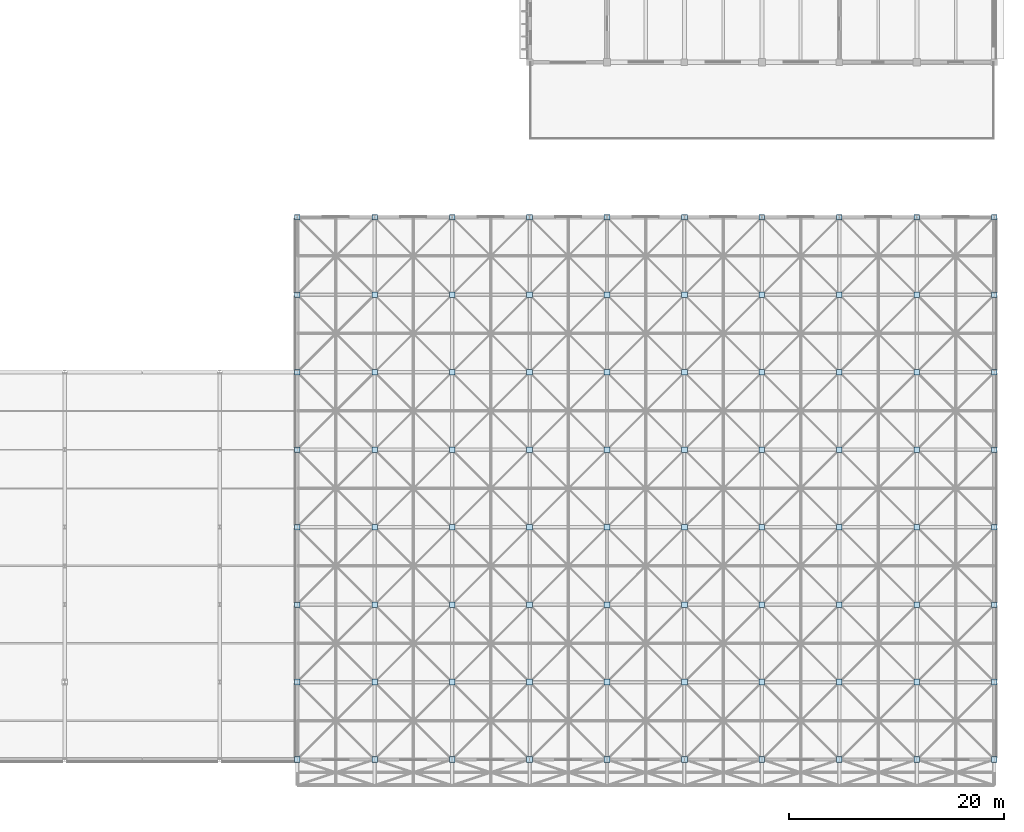
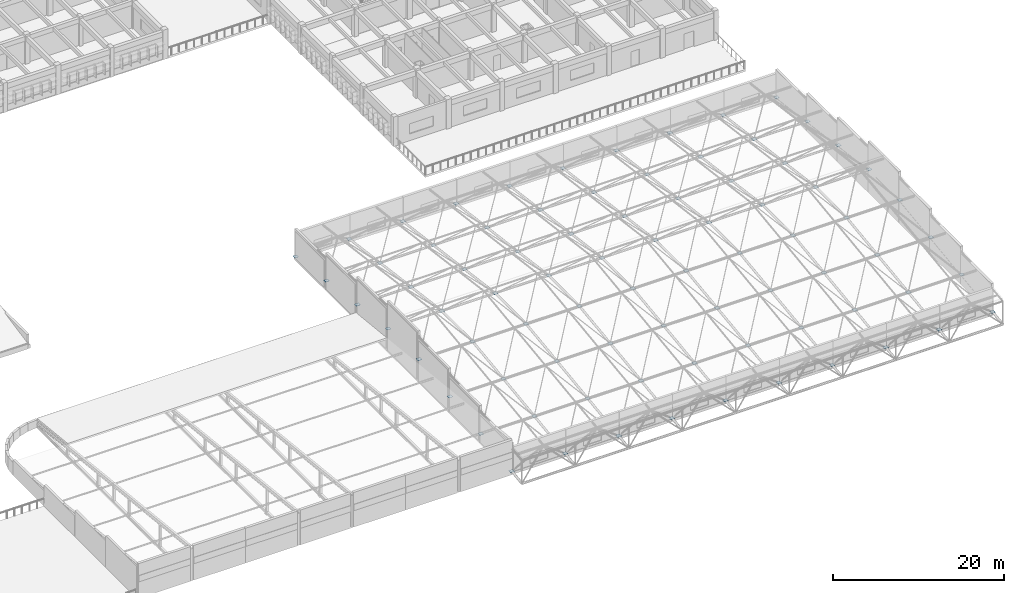
# One storey, part 79 of 103: 80 plates.
"""IFC4 building model written with IfcOpenShell, lengths in metres."""

from ifc_helpers import new_model, si_unit, direction, frame, origin, origin_2d, place, context, subcontext, project, spatial, rectangle, extrude, material, layer, layer_set, type_object, element, save


model = new_model("IFC4")

# Units and contexts
model_context = context("Model", 3, precision=1e-05, world=origin(), true_north=direction((0.0, 1.0)))
body_context = subcontext(model_context, "Body", "Model", "MODEL_VIEW")
ifc_project = project(units=[si_unit("LENGTHUNIT", "METRE"), si_unit("AREAUNIT", "SQUARE_METRE"), si_unit("VOLUMEUNIT", "CUBIC_METRE"), si_unit("PLANEANGLEUNIT", "RADIAN"), si_unit("MASSUNIT", "GRAM", prefix="KILO")], contexts=[model_context])

# Site, building, storey
site_placement = place(None, origin())
site = spatial("IfcSite", under=ifc_project, at=site_placement, CompositionType="ELEMENT")
building_placement = place(site_placement, origin())
building = spatial("IfcBuilding", under=site, at=building_placement, Name="Thalmaran Polytechnic", CompositionType="ELEMENT")
storey_placement = place(building_placement, frame((0.0, 0.0, 14.39990234375)))
storey = spatial("IfcBuildingStorey", under=building, at=storey_placement, Name="L03", CompositionType="ELEMENT", Elevation=14.39990234375)

# Plates
ifc_material = material(Name="Steel S355", Category="steel")
ifc_layer = layer(ifc_material, 0.02001953125, Name="Steel S355")
ifc_layer_set = layer_set([ifc_layer], Name="Steel S355")
plate_type = type_object("IfcPlateType", Name="PT-GS01", PredefinedType="SHEET", material=ifc_layer_set)
for number, where, z_axis, x_axis, name in (
    (1, (108.0, 0.0, 0.3701171875), (0.0, 0.0, 1.0), (1.0, 0.0, 0.0), "Space-Frame Spherical Node Gusset (0,1)"),
    (2, (108.0, 7.199951171875, 1.31787109375), (0.0, 0.0, 1.0), (1.0, 0.0, 0.0), "Space-Frame Spherical Node Gusset (0,2)"),
    (3, (108.0, 14.39990234375, 2.265869140625), (0.0, 0.0, 1.0), (1.0, 0.0, 0.0), "Space-Frame Spherical Node Gusset (0,3)"),
    (4, (108.0, 21.60009765625, 3.2138671875), (0.0, 0.0, 1.0), (1.0, 0.0, 0.0), "Space-Frame Spherical Node Gusset (0,4)"),
    (5, (108.0, 28.800048828125, 3.2138671875), (0.0, 0.0, 1.0), (1.0, 0.0, 0.0), "Space-Frame Spherical Node Gusset (0,5)"),
    (6, (108.0, 36.0, 2.265869140625), (0.0, 0.0, 1.0), (1.0, 0.0, 0.0), "Space-Frame Spherical Node Gusset (0,6)"),
    (7, (108.0, 43.199951171875, 1.31787109375), (0.0, 0.0, 1.0), (1.0, 0.0, 0.0), "Space-Frame Spherical Node Gusset (0,7)"),
    (8, (108.0, 50.39990234375, 0.3701171875), (0.0, 0.0, 1.0), (1.0, 0.0, 0.0), "Space-Frame Spherical Node Gusset (0,8)"),
    (9, (115.199951171875, 0.0, 0.3701171875), (0.0, 0.0, 1.0), (1.0, 0.0, 0.0), "Space-Frame Spherical Node Gusset (1,1)"),
    (10, (115.199951171875, 7.199951171875, 1.31787109375), (0.0, 0.0, 1.0), (1.0, 0.0, 0.0), "Space-Frame Spherical Node Gusset (1,2)"),
    (11, (115.199951171875, 14.39990234375, 2.265869140625), (0.0, 0.0, 1.0), (1.0, 0.0, 0.0), "Space-Frame Spherical Node Gusset (1,3)"),
    (12, (115.199951171875, 21.60009765625, 3.2138671875), (0.0, 0.0, 1.0), (1.0, 0.0, 0.0), "Space-Frame Spherical Node Gusset (1,4)"),
    (13, (115.199951171875, 28.800048828125, 3.2138671875), (0.0, 0.0, 1.0), (1.0, 0.0, 0.0), "Space-Frame Spherical Node Gusset (1,5)"),
    (14, (115.199951171875, 36.0, 2.265869140625), (0.0, 0.0, 1.0), (1.0, 0.0, 0.0), "Space-Frame Spherical Node Gusset (1,6)"),
    (15, (115.199951171875, 43.199951171875, 1.31787109375), (0.0, 0.0, 1.0), (1.0, 0.0, 0.0), "Space-Frame Spherical Node Gusset (1,7)"),
    (16, (115.199951171875, 50.39990234375, 0.3701171875), (0.0, 0.0, 1.0), (1.0, 0.0, 0.0), "Space-Frame Spherical Node Gusset (1,8)"),
    (17, (122.39990234375, 0.0, 0.3701171875), (0.0, 0.0, 1.0), (1.0, 0.0, 0.0), "Space-Frame Spherical Node Gusset (2,1)"),
    (18, (122.39990234375, 7.199951171875, 1.31787109375), (0.0, 0.0, 1.0), (1.0, 0.0, 0.0), "Space-Frame Spherical Node Gusset (2,2)"),
    (19, (122.39990234375, 14.39990234375, 2.265869140625), (0.0, 0.0, 1.0), (1.0, 0.0, 0.0), "Space-Frame Spherical Node Gusset (2,3)"),
    (20, (122.39990234375, 21.60009765625, 3.2138671875), (0.0, 0.0, 1.0), (1.0, 0.0, 0.0), "Space-Frame Spherical Node Gusset (2,4)"),
    (21, (122.39990234375, 28.800048828125, 3.2138671875), (0.0, 0.0, 1.0), (1.0, 0.0, 0.0), "Space-Frame Spherical Node Gusset (2,5)"),
    (22, (122.39990234375, 36.0, 2.265869140625), (0.0, 0.0, 1.0), (1.0, 0.0, 0.0), "Space-Frame Spherical Node Gusset (2,6)"),
    (23, (122.39990234375, 43.199951171875, 1.31787109375), (0.0, 0.0, 1.0), (1.0, 0.0, 0.0), "Space-Frame Spherical Node Gusset (2,7)"),
    (24, (122.39990234375, 50.39990234375, 0.3701171875), (0.0, 0.0, 1.0), (1.0, 0.0, 0.0), "Space-Frame Spherical Node Gusset (2,8)"),
    (25, (129.60009765625, 0.0, 0.3701171875), (0.0, 0.0, 1.0), (1.0, 0.0, 0.0), "Space-Frame Spherical Node Gusset (3,1)"),
    (26, (129.60009765625, 7.199951171875, 1.31787109375), (0.0, 0.0, 1.0), (1.0, 0.0, 0.0), "Space-Frame Spherical Node Gusset (3,2)"),
    (27, (129.60009765625, 14.39990234375, 2.265869140625), (0.0, 0.0, 1.0), (1.0, 0.0, 0.0), "Space-Frame Spherical Node Gusset (3,3)"),
    (28, (129.60009765625, 21.60009765625, 3.2138671875), (0.0, 0.0, 1.0), (1.0, 0.0, 0.0), "Space-Frame Spherical Node Gusset (3,4)"),
    (29, (129.60009765625, 28.800048828125, 3.2138671875), (0.0, 0.0, 1.0), (1.0, 0.0, 0.0), "Space-Frame Spherical Node Gusset (3,5)"),
    (30, (129.60009765625, 36.0, 2.265869140625), (0.0, 0.0, 1.0), (1.0, 0.0, 0.0), "Space-Frame Spherical Node Gusset (3,6)"),
    (31, (129.60009765625, 43.199951171875, 1.31787109375), (0.0, 0.0, 1.0), (1.0, 0.0, 0.0), "Space-Frame Spherical Node Gusset (3,7)"),
    (32, (129.60009765625, 50.39990234375, 0.3701171875), (0.0, 0.0, 1.0), (1.0, 0.0, 0.0), "Space-Frame Spherical Node Gusset (3,8)"),
    (33, (136.800048828125, 0.0, 0.3701171875), (0.0, 0.0, 1.0), (1.0, 0.0, 0.0), "Space-Frame Spherical Node Gusset (4,1)"),
    (34, (136.800048828125, 7.199951171875, 1.31787109375), (0.0, 0.0, 1.0), (1.0, 0.0, 0.0), "Space-Frame Spherical Node Gusset (4,2)"),
    (35, (136.800048828125, 14.39990234375, 2.265869140625), (0.0, 0.0, 1.0), (1.0, 0.0, 0.0), "Space-Frame Spherical Node Gusset (4,3)"),
    (36, (136.800048828125, 21.60009765625, 3.2138671875), (0.0, 0.0, 1.0), (1.0, 0.0, 0.0), "Space-Frame Spherical Node Gusset (4,4)"),
    (37, (136.800048828125, 28.800048828125, 3.2138671875), (0.0, 0.0, 1.0), (1.0, 0.0, 0.0), "Space-Frame Spherical Node Gusset (4,5)"),
    (38, (136.800048828125, 36.0, 2.265869140625), (0.0, 0.0, 1.0), (1.0, 0.0, 0.0), "Space-Frame Spherical Node Gusset (4,6)"),
    (39, (136.800048828125, 43.199951171875, 1.31787109375), (0.0, 0.0, 1.0), (1.0, 0.0, 0.0), "Space-Frame Spherical Node Gusset (4,7)"),
    (40, (136.800048828125, 50.39990234375, 0.3701171875), (0.0, 0.0, 1.0), (1.0, 0.0, 0.0), "Space-Frame Spherical Node Gusset (4,8)"),
    (41, (144.0, 0.0, 0.3701171875), (0.0, 0.0, 1.0), (1.0, 0.0, 0.0), "Space-Frame Spherical Node Gusset (5,1)"),
    (42, (144.0, 7.199951171875, 1.31787109375), (0.0, 0.0, 1.0), (1.0, 0.0, 0.0), "Space-Frame Spherical Node Gusset (5,2)"),
    (43, (144.0, 14.39990234375, 2.265869140625), (0.0, 0.0, 1.0), (1.0, 0.0, 0.0), "Space-Frame Spherical Node Gusset (5,3)"),
    (44, (144.0, 21.60009765625, 3.2138671875), (0.0, 0.0, 1.0), (1.0, 0.0, 0.0), "Space-Frame Spherical Node Gusset (5,4)"),
    (45, (144.0, 28.800048828125, 3.2138671875), (0.0, 0.0, 1.0), (1.0, 0.0, 0.0), "Space-Frame Spherical Node Gusset (5,5)"),
    (46, (144.0, 36.0, 2.265869140625), (0.0, 0.0, 1.0), (1.0, 0.0, 0.0), "Space-Frame Spherical Node Gusset (5,6)"),
    (47, (144.0, 43.199951171875, 1.31787109375), (0.0, 0.0, 1.0), (1.0, 0.0, 0.0), "Space-Frame Spherical Node Gusset (5,7)"),
    (48, (144.0, 50.39990234375, 0.3701171875), (0.0, 0.0, 1.0), (1.0, 0.0, 0.0), "Space-Frame Spherical Node Gusset (5,8)"),
    (49, (151.199951171875, 0.0, 0.3701171875), (0.0, 0.0, 1.0), (1.0, 0.0, 0.0), "Space-Frame Spherical Node Gusset (6,1)"),
    (50, (151.199951171875, 7.199951171875, 1.31787109375), (0.0, 0.0, 1.0), (1.0, 0.0, 0.0), "Space-Frame Spherical Node Gusset (6,2)"),
    (51, (151.199951171875, 14.39990234375, 2.265869140625), (0.0, 0.0, 1.0), (1.0, 0.0, 0.0), "Space-Frame Spherical Node Gusset (6,3)"),
    (52, (151.199951171875, 21.60009765625, 3.2138671875), (0.0, 0.0, 1.0), (1.0, 0.0, 0.0), "Space-Frame Spherical Node Gusset (6,4)"),
    (53, (151.199951171875, 28.800048828125, 3.2138671875), (0.0, 0.0, 1.0), (1.0, 0.0, 0.0), "Space-Frame Spherical Node Gusset (6,5)"),
    (54, (151.199951171875, 36.0, 2.265869140625), (0.0, 0.0, 1.0), (1.0, 0.0, 0.0), "Space-Frame Spherical Node Gusset (6,6)"),
    (55, (151.199951171875, 43.199951171875, 1.31787109375), (0.0, 0.0, 1.0), (1.0, 0.0, 0.0), "Space-Frame Spherical Node Gusset (6,7)"),
    (56, (151.199951171875, 50.39990234375, 0.3701171875), (0.0, 0.0, 1.0), (1.0, 0.0, 0.0), "Space-Frame Spherical Node Gusset (6,8)"),
    (57, (158.39990234375, 0.0, 0.3701171875), (0.0, 0.0, 1.0), (1.0, 0.0, 0.0), "Space-Frame Spherical Node Gusset (7,1)"),
    (58, (158.39990234375, 7.199951171875, 1.31787109375), (0.0, 0.0, 1.0), (1.0, 0.0, 0.0), "Space-Frame Spherical Node Gusset (7,2)"),
    (59, (158.39990234375, 14.39990234375, 2.265869140625), (0.0, 0.0, 1.0), (1.0, 0.0, 0.0), "Space-Frame Spherical Node Gusset (7,3)"),
    (60, (158.39990234375, 21.60009765625, 3.2138671875), (0.0, 0.0, 1.0), (1.0, 0.0, 0.0), "Space-Frame Spherical Node Gusset (7,4)"),
    (61, (158.39990234375, 28.800048828125, 3.2138671875), (0.0, 0.0, 1.0), (1.0, 0.0, 0.0), "Space-Frame Spherical Node Gusset (7,5)"),
    (62, (158.39990234375, 36.0, 2.265869140625), (0.0, 0.0, 1.0), (1.0, 0.0, 0.0), "Space-Frame Spherical Node Gusset (7,6)"),
    (63, (158.39990234375, 43.199951171875, 1.31787109375), (0.0, 0.0, 1.0), (1.0, 0.0, 0.0), "Space-Frame Spherical Node Gusset (7,7)"),
    (64, (158.39990234375, 50.39990234375, 0.3701171875), (0.0, 0.0, 1.0), (1.0, 0.0, 0.0), "Space-Frame Spherical Node Gusset (7,8)"),
    (65, (165.60009765625, 0.0, 0.3701171875), (0.0, 0.0, 1.0), (1.0, 0.0, 0.0), "Space-Frame Spherical Node Gusset (8,1)"),
    (66, (165.60009765625, 7.199951171875, 1.31787109375), (0.0, 0.0, 1.0), (1.0, 0.0, 0.0), "Space-Frame Spherical Node Gusset (8,2)"),
    (67, (165.60009765625, 14.39990234375, 2.265869140625), (0.0, 0.0, 1.0), (1.0, 0.0, 0.0), "Space-Frame Spherical Node Gusset (8,3)"),
    (68, (165.60009765625, 21.60009765625, 3.2138671875), (0.0, 0.0, 1.0), (1.0, 0.0, 0.0), "Space-Frame Spherical Node Gusset (8,4)"),
    (69, (165.60009765625, 28.800048828125, 3.2138671875), (0.0, 0.0, 1.0), (1.0, 0.0, 0.0), "Space-Frame Spherical Node Gusset (8,5)"),
    (70, (165.60009765625, 36.0, 2.265869140625), (0.0, 0.0, 1.0), (1.0, 0.0, 0.0), "Space-Frame Spherical Node Gusset (8,6)"),
    (71, (165.60009765625, 43.199951171875, 1.31787109375), (0.0, 0.0, 1.0), (1.0, 0.0, 0.0), "Space-Frame Spherical Node Gusset (8,7)"),
    (72, (165.60009765625, 50.39990234375, 0.3701171875), (0.0, 0.0, 1.0), (1.0, 0.0, 0.0), "Space-Frame Spherical Node Gusset (8,8)"),
    (73, (172.800048828125, 0.0, 0.3701171875), (0.0, 0.0, 1.0), (1.0, 0.0, 0.0), "Space-Frame Spherical Node Gusset (9,1)"),
    (74, (172.800048828125, 7.199951171875, 1.31787109375), (0.0, 0.0, 1.0), (1.0, 0.0, 0.0), "Space-Frame Spherical Node Gusset (9,2)"),
    (75, (172.800048828125, 14.39990234375, 2.265869140625), (0.0, 0.0, 1.0), (1.0, 0.0, 0.0), "Space-Frame Spherical Node Gusset (9,3)"),
    (76, (172.800048828125, 21.60009765625, 3.2138671875), (0.0, 0.0, 1.0), (1.0, 0.0, 0.0), "Space-Frame Spherical Node Gusset (9,4)"),
    (77, (172.800048828125, 28.800048828125, 3.2138671875), (0.0, 0.0, 1.0), (1.0, 0.0, 0.0), "Space-Frame Spherical Node Gusset (9,5)"),
    (78, (172.800048828125, 36.0, 2.265869140625), (0.0, 0.0, 1.0), (1.0, 0.0, 0.0), "Space-Frame Spherical Node Gusset (9,6)"),
    (79, (172.800048828125, 43.199951171875, 1.31787109375), (0.0, 0.0, 1.0), (1.0, 0.0, 0.0), "Space-Frame Spherical Node Gusset (9,7)"),
    (80, (172.800048828125, 50.39990234375, 0.3701171875), (0.0, 0.0, 1.0), (1.0, 0.0, 0.0), "Space-Frame Spherical Node Gusset (9,8)"),
):
    element("IfcPlate", number, at=place(storey_placement, frame(where, z_axis=z_axis, x_axis=x_axis)), inside=storey, type_object=plate_type, Name=name, PredefinedType="SHEET", context=body_context, shape_type="SweptSolid", body=[
        extrude(rectangle(XDim=0.52001953125, YDim=0.52001953125, at=origin_2d()), origin(), (0.0, 0.0, 1.0), 0.02001953125),
    ])

save(model, "model.ifc")
